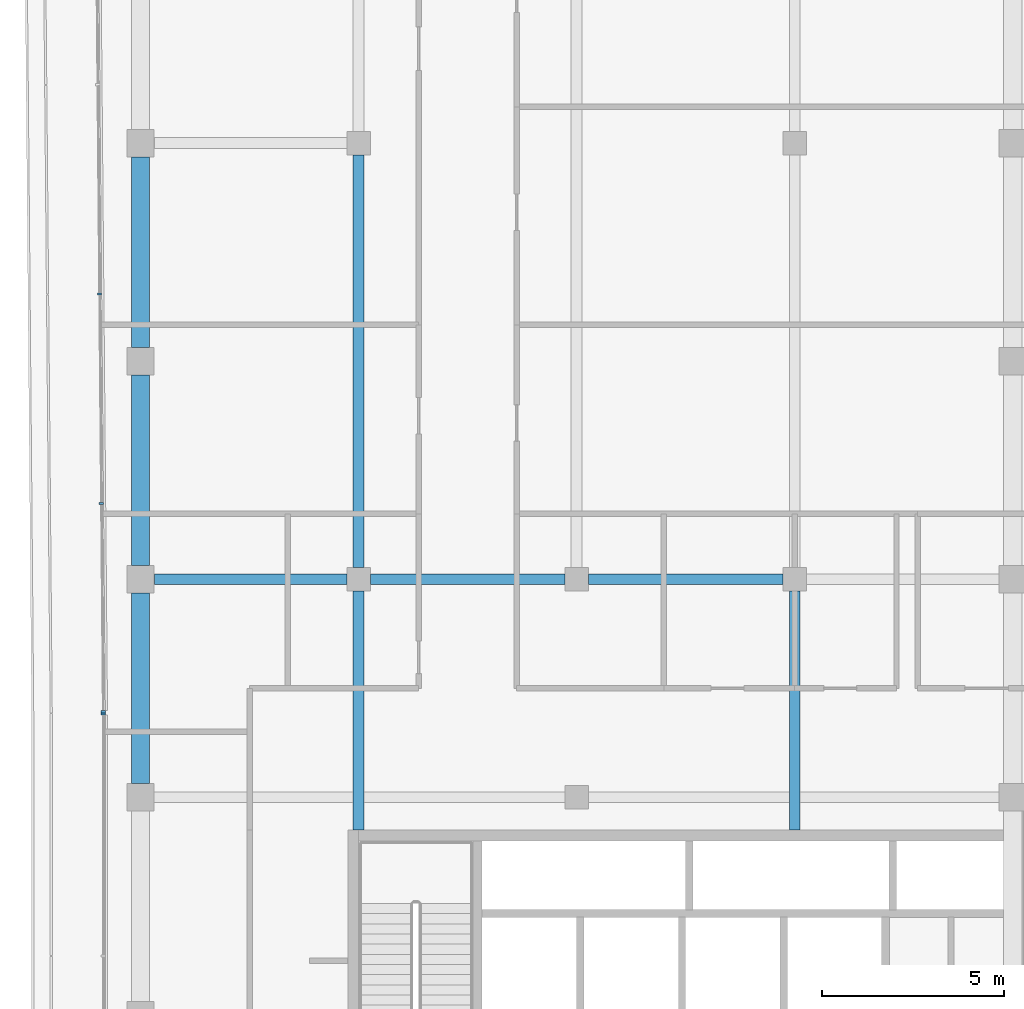
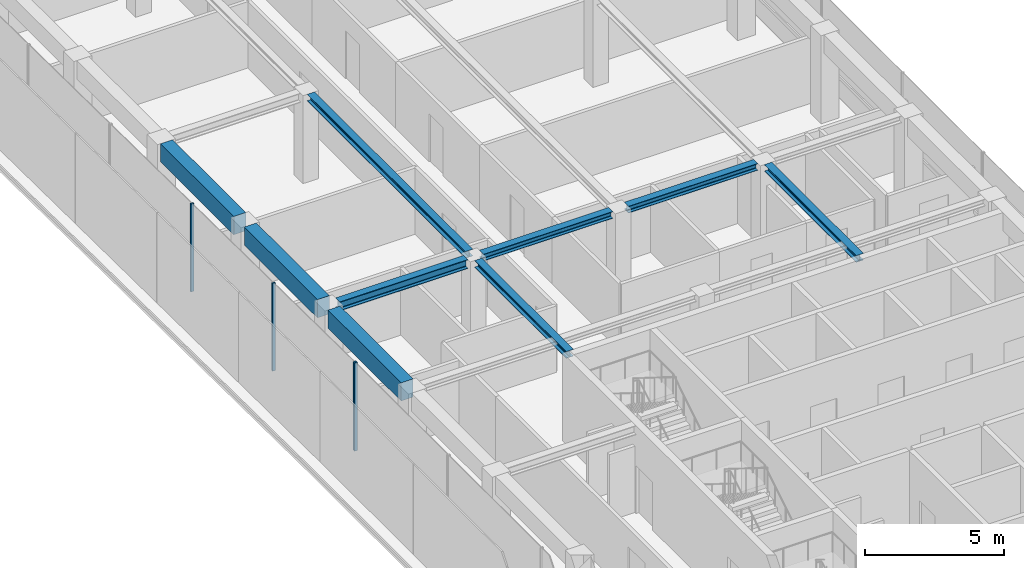
# One storey, part 6 of 18: 9 beams, 4 members, 2 elements without a shape of their own.
"""IFC4 building model written with IfcOpenShell, lengths in metres."""

from ifc_helpers import new_model, si_unit, direction, frame, origin, origin_2d, place, context, subcontext, project, spatial, rectangle, i_section, extrude, material, layer, layer_set, material_profile, profile_set, type_object, element, aggregate, save


model = new_model("IFC4")

# Units and contexts
model_context = context("Model", 3, precision=1e-05, world=origin(), true_north=direction((0.0, 1.0)))
body_context = subcontext(model_context, "Body", "Model", "MODEL_VIEW")
ifc_project = project(units=[si_unit("LENGTHUNIT", "METRE"), si_unit("AREAUNIT", "SQUARE_METRE"), si_unit("VOLUMEUNIT", "CUBIC_METRE"), si_unit("PLANEANGLEUNIT", "RADIAN"), si_unit("MASSUNIT", "GRAM", prefix="KILO")], contexts=[model_context])

# Site, building, storey
site_placement = place(None, origin())
site = spatial("IfcSite", under=ifc_project, at=site_placement, CompositionType="ELEMENT")
building_placement = place(site_placement, origin())
building = spatial("IfcBuilding", under=site, at=building_placement, Name="Welwitschia Terrace Campus", CompositionType="ELEMENT")
storey_placement = place(building_placement, frame((0.0, 0.0, 289.39990234375)))
storey = spatial("IfcBuildingStorey", under=building, at=storey_placement, Name="L64", CompositionType="ELEMENT", Elevation=289.39990234375)

# Beams
ifc_material_1 = material(Name="Steel S355", Category="steel")
ifc_material_profile_1 = material_profile(ifc_material_1, i_section(OverallWidth=0.300048828125, OverallDepth=0.300048828125, WebThickness=0.010986328125, FlangeThickness=0.01904296875, FilletRadius=0.027099609375, at=origin_2d()))
ifc_profile_set_1 = profile_set([ifc_material_profile_1], Name="Steel S355")
beam_type_1 = type_object("IfcBeamType", Name="Interior girder HE 300 B", PredefinedType="BEAM", material=ifc_profile_set_1)
for number, where, z_axis, x_axis, name in (
    (1, (6.325439453125, 32.0, 3.7001953125), (1.0, 0.0, 0.0), (0.0, 1.0, 0.0), "Girder GB6"),
    (2, (12.325439453125, 32.0, 3.7001953125), (1.0, 0.0, 0.0), (0.0, 1.0, 0.0), "Girder GB6"),
):
    element("IfcBeam", number, at=place(storey_placement, frame(where, z_axis=z_axis, x_axis=x_axis)), inside=storey, type_object=beam_type_1, Name=name, PredefinedType="BEAM", context=body_context, shape_type="SweptSolid", body=[
        extrude(i_section(OverallWidth=0.300048828125, OverallDepth=0.300048828125, WebThickness=0.010986328125, FlangeThickness=0.01904296875, FilletRadius=0.027099609375, at=origin_2d()), origin(), (0.0, 0.0, 1.0), 5.34912109375),
    ])
beam_1_placement = place(storey_placement, frame((6.0, 25.10107421875, 3.7001953125), z_axis=(0.0, 1.0, 0.0), x_axis=(-1.0, 0.0, 0.0)))
element("IfcBeam", 3, at=beam_1_placement, inside=storey, type_object=beam_type_1, Name="Girder GB6", PredefinedType="BEAM", context=body_context, shape_type="SweptSolid", body=[
    extrude(i_section(OverallWidth=0.300048828125, OverallDepth=0.300048828125, WebThickness=0.010986328125, FlangeThickness=0.01904296875, FilletRadius=0.027099609375, at=origin_2d()), origin(), (0.0, 0.0, 1.0), 6.573486328125),
])
beam_2_placement = place(storey_placement, frame((6.0, 32.325439453125, 3.7001953125), z_axis=(0.0, 1.0, 0.0), x_axis=(-1.0, 0.0, 0.0)))
element("IfcBeam", 4, at=beam_2_placement, inside=storey, type_object=beam_type_1, Name="Girder GB6", PredefinedType="BEAM", context=body_context, shape_type="SweptSolid", body=[
    extrude(i_section(OverallWidth=0.300048828125, OverallDepth=0.300048828125, WebThickness=0.010986328125, FlangeThickness=0.01904296875, FilletRadius=0.027099609375, at=origin_2d()), origin(), (0.0, 0.0, 1.0), 11.34912109375),
])
beam_3_placement = place(storey_placement, frame((18.0, 25.10107421875, 3.7001953125), z_axis=(0.0, 1.0, 0.0), x_axis=(-1.0, 0.0, 0.0)))
element("IfcBeam", 5, at=beam_3_placement, inside=storey, type_object=beam_type_1, Name="Girder GB6", PredefinedType="BEAM", context=body_context, shape_type="SweptSolid", body=[
    extrude(i_section(OverallWidth=0.300048828125, OverallDepth=0.300048828125, WebThickness=0.010986328125, FlangeThickness=0.01904296875, FilletRadius=0.027099609375, at=origin_2d()), origin(), (0.0, 0.0, 1.0), 6.573486328125),
])

# Curtain wall, members
ifc_material_2 = material(Name="Bronze anodised aluminium", Category="aluminium")
ifc_layer = layer(ifc_material_2, 0.1201171875)
ifc_layer_set = layer_set([ifc_layer], Name="Bronze anodised aluminium")
curtain_wall_type = type_object("IfcCurtainWallType", Name="Curtain wall CW2 tower 6000", PredefinedType="NOTDEFINED", material=ifc_layer_set)
curtain_wall_1_placement = place(storey_placement, origin())
curtain_wall_1 = element("IfcCurtainWall", 6, at=curtain_wall_1_placement, inside=storey, type_object=curtain_wall_type, Name="CW L64.0.0", PredefinedType="NOTDEFINED")
ifc_material_3 = material(Name="Bronze anodised aluminium", Category="aluminium")
ifc_material_profile_2 = material_profile(ifc_material_3, rectangle(XDim=0.1201171875, YDim=0.06005859375, at=origin_2d()))
ifc_profile_set_2 = profile_set([ifc_material_profile_2], Name="Bronze anodised aluminium")
member_type = type_object("IfcMemberType", Name="Mullion 60x120", PredefinedType="MULLION", material=ifc_profile_set_2)
member_1_placement = place(storey_placement, frame((-1.130615234375, 39.84765625, 0.0), z_axis=(0.0, 0.0, 1.0), x_axis=(0.999961923064, 0.008726535498, 0.0)))
member_1 = element("IfcMember", 7, at=member_1_placement, type_object=member_type, Name="Mullion L64.0.0.4", PredefinedType="MULLION", context=body_context, shape_type="SweptSolid", body=[
    extrude(rectangle(XDim=0.1201171875, YDim=0.06005859375, at=origin_2d()), origin(), (0.0, 0.0, 1.0), 3.85009765625),
])
member_2_placement = place(storey_placement, frame((-1.080322265625, 34.085205078125, 0.0), z_axis=(0.0, 0.0, 1.0), x_axis=(0.999961923064, 0.008726535498, 0.0)))
member_2 = element("IfcMember", 8, at=member_2_placement, type_object=member_type, Name="Mullion L64.0.0.5", PredefinedType="MULLION", context=body_context, shape_type="SweptSolid", body=[
    extrude(rectangle(XDim=0.1201171875, YDim=0.06005859375, at=origin_2d()), origin(), (0.0, 0.0, 1.0), 3.85009765625),
])
member_3_placement = place(storey_placement, frame((-1.0302734375, 28.3525390625, 0.0), z_axis=(0.0, 0.0, 1.0), x_axis=(0.999961923064, 0.008726535498, 0.0)))
member_3 = element("IfcMember", 9, at=member_3_placement, type_object=member_type, Name="Mullion L64.0.0.6", PredefinedType="MULLION", context=body_context, shape_type="SweptSolid", body=[
    extrude(rectangle(XDim=0.1201171875, YDim=0.06005859375, at=origin_2d()), origin(), (0.0, 0.0, 1.0), 3.85009765625),
])
aggregate(curtain_wall_1, [member_1, member_2, member_3])

# Curtain wall, member
curtain_wall_2_placement = place(storey_placement, origin())
curtain_wall_2 = element("IfcCurtainWall", 10, at=curtain_wall_2_placement, inside=storey, type_object=curtain_wall_type, Name="CW L64.1.0", PredefinedType="NOTDEFINED")
member_4_placement = place(storey_placement, frame((-1.030029296875, 28.292724609375, 0.0), z_axis=(0.0, 0.0, 1.0), x_axis=(1.0, 0.0, 0.0)))
member_4 = element("IfcMember", 11, at=member_4_placement, type_object=member_type, Name="Mullion L64.1.0.0", PredefinedType="MULLION", context=body_context, shape_type="SweptSolid", body=[
    extrude(rectangle(XDim=0.1201171875, YDim=0.06005859375, at=origin_2d()), origin(), (0.0, 0.0, 1.0), 3.85009765625),
])
aggregate(curtain_wall_2, [member_4])

# Beams
ifc_material_4 = material(Name="Steel S355", Category="steel")
ifc_material_profile_3 = material_profile(ifc_material_4, i_section(OverallWidth=0.300048828125, OverallDepth=0.39990234375, WebThickness=0.013427734375, FlangeThickness=0.02392578125, FilletRadius=0.027099609375, at=origin_2d()))
ifc_profile_set_3 = profile_set([ifc_material_profile_3], Name="Steel S355")
beam_type_2 = type_object("IfcBeamType", Name="Primary beam HE 400 B", PredefinedType="BEAM", material=ifc_profile_set_3)
beam_4_placement = place(storey_placement, frame((0.37548828125, 32.0, 3.650146484375), z_axis=(1.0, 0.0, 0.0), x_axis=(0.0, 1.0, 0.0)))
element("IfcBeam", 12, at=beam_4_placement, inside=storey, type_object=beam_type_2, Name="Primary beam PB6", PredefinedType="BEAM", context=body_context, shape_type="SweptSolid", body=[
    extrude(i_section(OverallWidth=0.300048828125, OverallDepth=0.39990234375, WebThickness=0.013427734375, FlangeThickness=0.02392578125, FilletRadius=0.027099609375, at=origin_2d()), origin(), (0.0, 0.0, 1.0), 5.299072265625),
])
ifc_material_5 = material(Name="Concrete C50/60", Category="concrete")
ifc_material_profile_4 = material_profile(ifc_material_5, rectangle(XDim=0.5, YDim=0.800048828125, at=origin_2d()))
ifc_profile_set_4 = profile_set([ifc_material_profile_4], Name="Concrete C50/60")
beam_type_3 = type_object("IfcBeamType", Name="Ring spandrel 500x800", PredefinedType="SPANDREL", material=ifc_profile_set_4)
for number, where, z_axis, x_axis, name in (
    (13, (0.0, 43.62451171875, 3.4501953125), (0.0, -1.0, 0.0), (1.0, 0.0, 0.0), "Spandrel SP4"),
    (14, (0.0, 37.62451171875, 3.4501953125), (0.0, -1.0, 0.0), (1.0, 0.0, 0.0), "Spandrel SP4"),
    (15, (0.0, 31.62451171875, 3.4501953125), (0.0, -1.0, 0.0), (1.0, 0.0, 0.0), "Spandrel SP4"),
):
    element("IfcBeam", number, at=place(storey_placement, frame(where, z_axis=z_axis, x_axis=x_axis)), inside=storey, type_object=beam_type_3, Name=name, PredefinedType="SPANDREL", context=body_context, shape_type="SweptSolid", body=[
        extrude(rectangle(XDim=0.5, YDim=0.800048828125, at=origin_2d()), origin(), (0.0, 0.0, 1.0), 5.2490234375),
    ])

save(model, "model.ifc")
